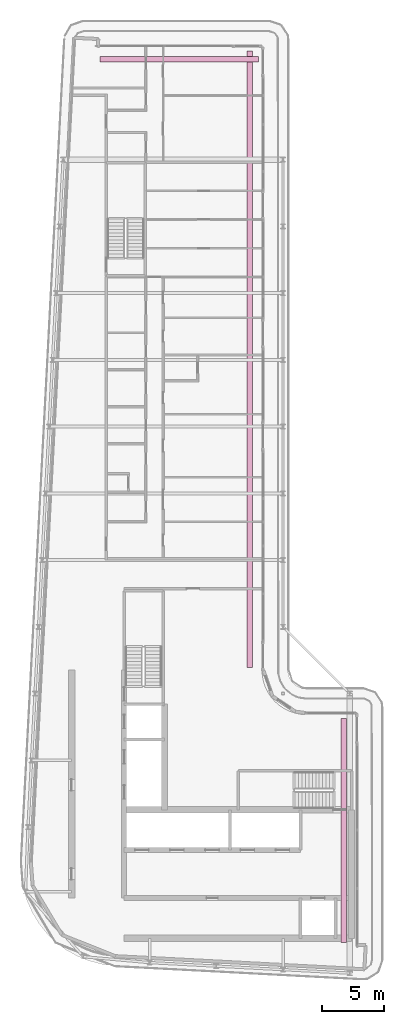
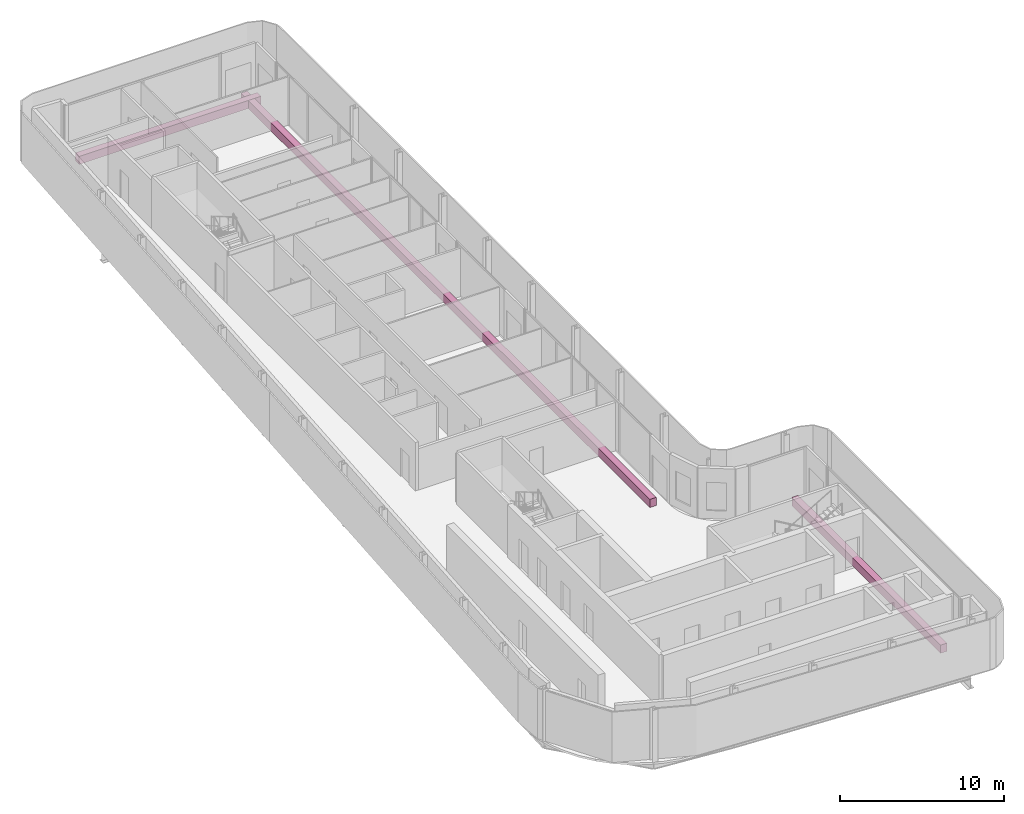
# One storey, part 18 of 18: 3 furniture elements.
"""IFC4 building model written with IfcOpenShell, lengths in metres."""

from ifc_helpers import new_model, si_unit, direction, frame, origin, origin_2d, place, context, subcontext, project, spatial, rectangle, extrude, material, type_object, element, save


model = new_model("IFC4")

# Units and contexts
model_context = context("Model", 3, precision=1e-05, world=origin(), true_north=direction((0.0, 1.0)))
body_context = subcontext(model_context, "Body", "Model", "MODEL_VIEW")
ifc_project = project(units=[si_unit("LENGTHUNIT", "METRE"), si_unit("AREAUNIT", "SQUARE_METRE"), si_unit("VOLUMEUNIT", "CUBIC_METRE"), si_unit("PLANEANGLEUNIT", "RADIAN"), si_unit("MASSUNIT", "GRAM", prefix="KILO")], contexts=[model_context])

# Site, building, storey
site_placement = place(None, origin())
site = spatial("IfcSite", under=ifc_project, at=site_placement, CompositionType="ELEMENT")
building_placement = place(site_placement, origin())
building = spatial("IfcBuilding", under=site, at=building_placement, Name="Kheshtan School and Residences Tower", CompositionType="ELEMENT")
storey_placement = place(building_placement, frame((0.0, 0.0, 381.199951171875)))
storey = spatial("IfcBuildingStorey", under=building, at=storey_placement, Name="L90", CompositionType="ELEMENT", Elevation=381.199951171875)

# Furniture
ifc_material = material(Name="Precast concrete C30/37 in terracotta finish", Category="masonry")
furniture_type = type_object("IfcFurnitureType", Name="Planter trough", AssemblyPlace="NOTDEFINED", PredefinedType="USERDEFINED", material=ifc_material)
furniture_1_placement = place(storey_placement, frame((39.196044921875, 96.925048828125, 0.0), z_axis=(0.0, 0.0, 1.0), x_axis=(1.0, 0.0, 0.0)))
element("IfcFurniture", 1, at=furniture_1_placement, inside=storey, type_object=furniture_type, Name="Planter L90", ObjectType="PLANTER", PredefinedType="USERDEFINED", context=body_context, shape_type="SweptSolid", body=[
    extrude(rectangle(XDim=12.80810546875, YDim=0.449951171875, at=origin_2d()), origin(), (0.0, 0.0, 1.0), 0.60009765625),
])
furniture_2_placement = place(storey_placement, frame((44.925048828125, 72.6650390625, 0.0), z_axis=(0.0, 0.0, 1.0), x_axis=(0.0, -1.0, 0.0)))
element("IfcFurniture", 2, at=furniture_2_placement, inside=storey, type_object=furniture_type, Name="Planter L90", ObjectType="PLANTER", PredefinedType="USERDEFINED", context=body_context, shape_type="SweptSolid", body=[
    extrude(rectangle(XDim=49.8701171875, YDim=0.449951171875, at=origin_2d()), origin(), (0.0, 0.0, 1.0), 0.60009765625),
])
furniture_3_placement = place(storey_placement, frame((52.52490234375, 34.528076171875, 0.0), z_axis=(0.0, 0.0, 1.0), x_axis=(0.0, -1.0, 0.0)))
element("IfcFurniture", 3, at=furniture_3_placement, inside=storey, type_object=furniture_type, Name="Planter L90", ObjectType="PLANTER", PredefinedType="USERDEFINED", context=body_context, shape_type="SweptSolid", body=[
    extrude(rectangle(XDim=18.14404296875, YDim=0.449951171875, at=origin_2d()), origin(), (0.0, 0.0, 1.0), 0.60009765625),
])

save(model, "model.ifc")
